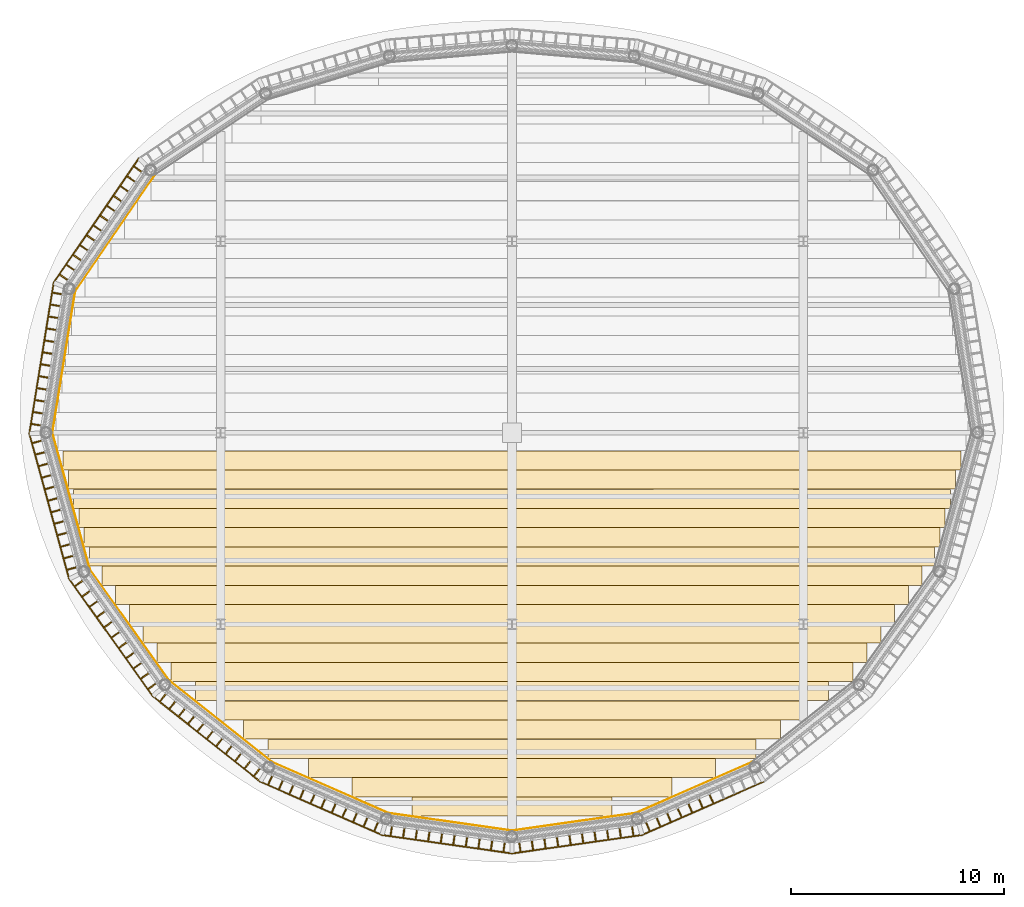
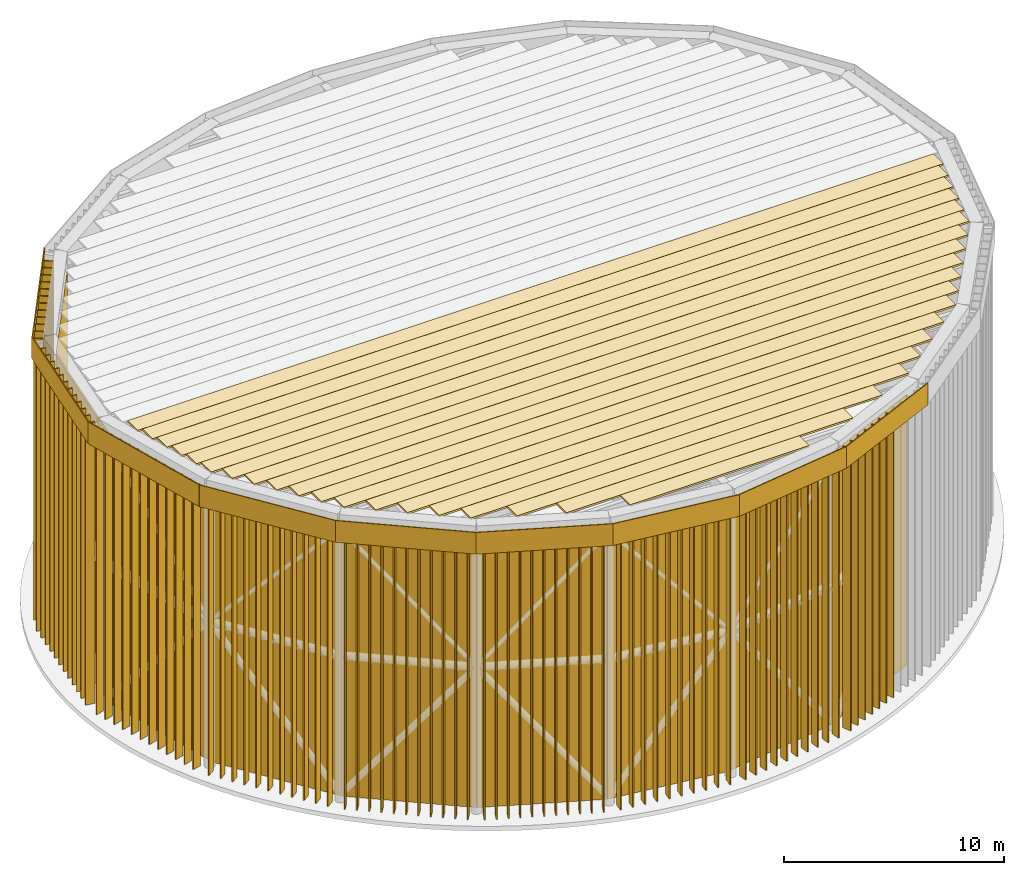
# One storey, part 9 of 11: 96 shading devices, 37 coverings.
"""IFC4 building model written with IfcOpenShell, lengths in metres."""

import ifcopenshell
import ifcopenshell.guid

model = None  # the IFC model being written
_history = None  # IfcOwnerHistory: only IFC2X3 demands one
_inside = {}  # id of a spatial element -> (the spatial element, [elements in it])
_under = {}  # id of a project, library or spatial element -> (it, [spatial elements below it])
_declared = {}  # id of a project -> (the project, [libraries it declares])
_typed = {}  # id of a type object -> (the type object, [elements of that type])
_made_of = {}  # id of a material, layer set ... -> (it, [elements and type objects made of it])


def new_model(schema):
    """Start an empty IFC model of exactly this schema.

    Asked for "IFC4X3", IfcOpenShell would pick the latest addendum, in which some entities
    have other attributes; the version numbers below select the first issue.
    IFC2X3 requires an IfcOwnerHistory on every rooted entity: one is made here for all.
    """
    global model, _history
    if schema == "IFC4X3":
        model = ifcopenshell.file(schema_version=(4, 3, 0, 0))
    else:
        model = ifcopenshell.file(schema=schema)
    _inside.clear()
    _under.clear()
    _declared.clear()
    _typed.clear()
    _made_of.clear()
    _history = None
    if model.schema == "IFC2X3":
        org = make("IfcOrganization", Name="unknown")
        user = make(
            "IfcPersonAndOrganization",
            ThePerson=make("IfcPerson", FamilyName="unknown"),
            TheOrganization=org,
        )
        app = make(
            "IfcApplication",
            ApplicationDeveloper=org,
            Version="unknown",
            ApplicationFullName="unknown",
            ApplicationIdentifier="unknown",
        )
        _history = make(
            "IfcOwnerHistory",
            OwningUser=user,
            OwningApplication=app,
            ChangeAction="ADDED",
            CreationDate=0,
        )
    return model


def make(cls, **values):
    """One entity of the class cls with the attributes given. An attribute that is None is left unset."""
    return model.create_entity(
        cls, **{name: value for name, value in values.items() if value is not None}
    )


def rooted(cls, **values):
    """An entity with a GlobalId (a new one), such as an element, a storey or a relation."""
    return make(cls, GlobalId=ifcopenshell.guid.new(), OwnerHistory=_history, **values)


def si_unit(unit_type, name, prefix=None):
    """IfcSIUnit, for example si_unit("LENGTHUNIT", "METRE", prefix="MILLI")."""
    return make("IfcSIUnit", UnitType=unit_type, Prefix=prefix, Name=name)


def assignment(units):
    """IfcUnitAssignment: the units of a project."""
    return None if units is None else make("IfcUnitAssignment", Units=units)


def point(xyz):
    """IfcCartesianPoint."""
    return None if xyz is None else make("IfcCartesianPoint", Coordinates=xyz)


def direction(xyz):
    """IfcDirection."""
    return None if xyz is None else make("IfcDirection", DirectionRatios=xyz)


def frame(location, z_axis=None, x_axis=None):
    """IfcAxis2Placement3D, a coordinate frame: its origin and axes. An axis left out is left unset."""
    return make(
        "IfcAxis2Placement3D",
        Location=point(location),
        Axis=direction(z_axis),
        RefDirection=direction(x_axis),
    )


def frame_2d(location, x_axis=None):
    """IfcAxis2Placement2D, a coordinate frame in the plane: its origin and x axis."""
    return make(
        "IfcAxis2Placement2D", Location=point(location), RefDirection=direction(x_axis)
    )


def origin():
    """The frame at (0, 0, 0) with its axes left unset."""
    return frame((0.0, 0.0, 0.0))


def origin_2d():
    """The frame at (0, 0) in the plane with its x axis left unset."""
    return frame_2d((0.0, 0.0))


def place(relative_to, where):
    """IfcLocalPlacement: puts the frame where relative to a parent placement (None: the world)."""
    return make(
        "IfcLocalPlacement", PlacementRelTo=relative_to, RelativePlacement=where
    )


def context(
    kind, dimensions, precision=None, world=None, true_north=None, identifier=None
):
    """IfcGeometricRepresentationContext, for example the 3D "Model" context."""
    return make(
        "IfcGeometricRepresentationContext",
        ContextIdentifier=identifier,
        ContextType=kind,
        CoordinateSpaceDimension=dimensions,
        Precision=precision,
        WorldCoordinateSystem=world,
        TrueNorth=true_north,
    )


def subcontext(parent, identifier, kind, view, scale=None):
    """IfcGeometricRepresentationSubContext, for example "Body" below "Model"."""
    return make(
        "IfcGeometricRepresentationSubContext",
        ContextIdentifier=identifier,
        ContextType=kind,
        ParentContext=parent,
        TargetScale=scale,
        TargetView=view,
    )


def project(units=None, contexts=None):
    """IfcProject with its units and contexts."""
    return rooted(
        "IfcProject",
        Name="project",
        RepresentationContexts=contexts,
        UnitsInContext=assignment(units),
    )


def spatial(cls, under=None, at=None, **own):
    """A site, building, storey or space (cls), placed at a placement, below another one or the project."""
    s = rooted(cls, ObjectPlacement=at, **own)
    if under is not None:
        _under.setdefault(under.id(), (under, []))[1].append(s)
    return s


def profile(cls, at=None, kind="AREA", **sizes):
    """A parametric profile (cls). Its sizes go by their IFC names, for example OverallWidth=200.0."""
    return make(cls, ProfileType=kind, Position=at, **sizes)


def rectangle(**sizes):
    """IfcRectangleProfileDef."""
    return profile("IfcRectangleProfileDef", **sizes)


def extrude(swept, where, along, depth):
    """IfcExtrudedAreaSolid: the profile swept, set in the frame where, extruded along a direction by depth."""
    return make(
        "IfcExtrudedAreaSolid",
        SweptArea=swept,
        Position=where,
        ExtrudedDirection=direction(along),
        Depth=depth,
    )


def shape(context_of_items, identifier, shape_type, items):
    """IfcShapeRepresentation: the items that make up one representation, for example the "Body"."""
    return make(
        "IfcShapeRepresentation",
        ContextOfItems=context_of_items,
        RepresentationIdentifier=identifier,
        RepresentationType=shape_type,
        Items=items,
    )


def material(Name=None, Category=None):
    """IfcMaterial."""
    return make("IfcMaterial", Name=Name, Category=Category)


def layer(
    of_material, thickness, ventilated=None, Name=None, Category=None, Priority=None
):
    """IfcMaterialLayer: one layer of a wall or slab, of a material (None: an air gap)."""
    return make(
        "IfcMaterialLayer",
        Material=of_material,
        LayerThickness=thickness,
        IsVentilated=ventilated,
        Name=Name,
        Category=Category,
        Priority=Priority,
    )


def layer_set(layers, Name=None):
    """IfcMaterialLayerSet."""
    return make("IfcMaterialLayerSet", MaterialLayers=layers, LayerSetName=Name)


def made_of(thing, what):
    """Note that an element or type object is made of a material, layer set ...; save() writes the relation."""
    if what is not None:
        _made_of.setdefault(what.id(), (what, []))[1].append(thing)
    return thing


def type_object(cls, material=None, **own):
    """A type object (cls), such as IfcWallType, which elements share."""
    return made_of(rooted(cls, **own), material)


def element(
    cls,
    number,
    at=None,
    inside=None,
    cuts=None,
    type_object=None,
    material=None,
    context=None,
    identifier="Body",
    shape_type=None,
    held_by="IfcProductDefinitionShape",
    body=None,
    shapes=None,
    **own,
):
    """One element of the class cls, such as IfcWall. Its Tag is "e" and its number.

    at: its placement. inside: the storey or other place that contains it. cuts: it is an
    opening in that element (IfcRelVoidsElement). A single representation is given by context,
    identifier, shape_type and body (its items); several are given by shapes. held_by: the class
    of the entity that holds the representations. save() writes the other relations.
    """
    e = rooted(cls, Tag="e%d" % number, ObjectPlacement=at, **own)
    if body is not None:
        shapes = [shape(context, identifier, shape_type, body)]
    if shapes is not None:
        e.Representation = make(held_by, Representations=shapes)
    if inside is not None:
        _inside.setdefault(inside.id(), (inside, []))[1].append(e)
    if cuts is not None:
        rooted(
            "IfcRelVoidsElement", RelatingBuildingElement=cuts, RelatedOpeningElement=e
        )
    if type_object is not None:
        _typed.setdefault(type_object.id(), (type_object, []))[1].append(e)
    return made_of(e, material)


def aggregate(whole, parts):
    """IfcRelAggregates: a whole, such as a stair, and the parts it consists of."""
    return rooted("IfcRelAggregates", RelatingObject=whole, RelatedObjects=parts)


def save(model, path):
    """Write the relations noted so far, then the file.

    IfcRelAggregates (storeys below a building ...), IfcRelContainedInSpatialStructure (elements
    in a storey), IfcRelDefinesByType, IfcRelAssociatesMaterial and IfcRelDeclares: one each for
    every whole, place, type object, material and project.
    """
    for whole, parts in _under.values():
        aggregate(whole, parts)
    for where, things in _inside.values():
        rooted(
            "IfcRelContainedInSpatialStructure",
            RelatedElements=things,
            RelatingStructure=where,
        )
    for kind, things in _typed.values():
        rooted("IfcRelDefinesByType", RelatedObjects=things, RelatingType=kind)
    for what, things in _made_of.values():
        rooted("IfcRelAssociatesMaterial", RelatedObjects=things, RelatingMaterial=what)
    for by, libraries in _declared.values():
        rooted("IfcRelDeclares", RelatingContext=by, RelatedDefinitions=libraries)
    model.write(path)


model = new_model("IFC4")

# Units and contexts
model_context = context("Model", 3, precision=1e-05, world=origin(), true_north=direction((0.0, 1.0)))
body_context = subcontext(model_context, "Body", "Model", "MODEL_VIEW")
ifc_project = project(units=[si_unit("LENGTHUNIT", "METRE"), si_unit("AREAUNIT", "SQUARE_METRE"), si_unit("VOLUMEUNIT", "CUBIC_METRE"), si_unit("PLANEANGLEUNIT", "RADIAN"), si_unit("MASSUNIT", "GRAM", prefix="KILO")], contexts=[model_context])

# Site, building, storey
site_placement = place(None, origin())
site = spatial("IfcSite", under=ifc_project, at=site_placement, CompositionType="ELEMENT")
building_placement = place(site_placement, origin())
building = spatial("IfcBuilding", under=site, at=building_placement, Name="Marramba Exchange Tower", CompositionType="ELEMENT")
storey_placement = place(building_placement, frame((0.0, 0.0, 282.0)))
storey = spatial("IfcBuildingStorey", under=building, at=storey_placement, Name="Roof crown", CompositionType="ELEMENT", Elevation=282.0)

# Shading devices
ifc_material_1 = material(Name="Aluminium fin, bronze anodised", Category="aluminium")
ifc_layer_1 = layer(ifc_material_1, 0.06005859375)
ifc_layer_set_1 = layer_set([ifc_layer_1], Name="CROWN SCREEN FIN 450x60")
shading_device_type = type_object("IfcShadingDeviceType", Name="CROWN SCREEN FIN 450x60", PredefinedType="USERDEFINED", material=ifc_layer_set_1)
for number, where, z_axis, x_axis, name in (
    (1, (-17.58837890625, 12.39013671875, 0.0), (0.0, 0.0, 1.0), (-0.824970030492, 0.565176475793, 0.0), "Crown screen fin CS1 bay 09 fin 01"),
    (2, (-17.905029296875, 11.927734375, 0.0), (0.0, 0.0, 1.0), (-0.824970030492, 0.565176475793, 0.0), "Crown screen fin CS1 bay 09 fin 02"),
    (3, (-18.2216796875, 11.465576171875, 0.0), (0.0, 0.0, 1.0), (-0.824970030492, 0.565176475793, 0.0), "Crown screen fin CS1 bay 09 fin 03"),
    (4, (-18.538330078125, 11.00341796875, 0.0), (0.0, 0.0, 1.0), (-0.824970030492, 0.565176475793, 0.0), "Crown screen fin CS1 bay 09 fin 04"),
    (5, (-18.855224609375, 10.541015625, 0.0), (0.0, 0.0, 1.0), (-0.824970030492, 0.565176475793, 0.0), "Crown screen fin CS1 bay 09 fin 05"),
    (6, (-19.171875, 10.078857421875, 0.0), (0.0, 0.0, 1.0), (-0.824970030492, 0.565176475793, 0.0), "Crown screen fin CS1 bay 09 fin 06"),
    (7, (-19.488525390625, 9.616455078125, 0.0), (0.0, 0.0, 1.0), (-0.824970030492, 0.565176475793, 0.0), "Crown screen fin CS1 bay 09 fin 07"),
    (8, (-19.80517578125, 9.154296875, 0.0), (0.0, 0.0, 1.0), (-0.824970030492, 0.565176475793, 0.0), "Crown screen fin CS1 bay 09 fin 08"),
    (9, (-20.121826171875, 8.692138671875, 0.0), (0.0, 0.0, 1.0), (-0.824970030492, 0.565176475793, 0.0), "Crown screen fin CS1 bay 09 fin 09"),
    (10, (-20.4384765625, 8.229736328125, 0.0), (0.0, 0.0, 1.0), (-0.824970030492, 0.565176475793, 0.0), "Crown screen fin CS1 bay 09 fin 10"),
    (11, (-20.755126953125, 7.767578125, 0.0), (0.0, 0.0, 1.0), (-0.824970030492, 0.565176475793, 0.0), "Crown screen fin CS1 bay 09 fin 11"),
    (12, (-21.072021484375, 7.30517578125, 0.0), (0.0, 0.0, 1.0), (-0.824970030492, 0.565176475793, 0.0), "Crown screen fin CS1 bay 09 fin 12"),
    (13, (-21.37451171875, 6.548583984375, 0.0), (0.0, 0.0, 1.0), (-0.987215031022, 0.159394110696, 0.0), "Crown screen fin CS1 bay 10 fin 01"),
    (14, (-21.465087890625, 5.98779296875, 0.0), (0.0, 0.0, 1.0), (-0.987215031022, 0.159394110696, 0.0), "Crown screen fin CS1 bay 10 fin 02"),
    (15, (-21.5556640625, 5.427001953125, 0.0), (0.0, 0.0, 1.0), (-0.987215031022, 0.159394110696, 0.0), "Crown screen fin CS1 bay 10 fin 03"),
    (16, (-21.64599609375, 4.8662109375, 0.0), (0.0, 0.0, 1.0), (-0.987215031022, 0.159394110696, 0.0), "Crown screen fin CS1 bay 10 fin 04"),
    (17, (-21.736572265625, 4.305419921875, 0.0), (0.0, 0.0, 1.0), (-0.987215031022, 0.159394110696, 0.0), "Crown screen fin CS1 bay 10 fin 05"),
    (18, (-21.8271484375, 3.74462890625, 0.0), (0.0, 0.0, 1.0), (-0.987215031022, 0.159394110696, 0.0), "Crown screen fin CS1 bay 10 fin 06"),
    (19, (-21.917724609375, 3.183837890625, 0.0), (0.0, 0.0, 1.0), (-0.987215031022, 0.159394110696, 0.0), "Crown screen fin CS1 bay 10 fin 07"),
    (20, (-22.00830078125, 2.623046875, 0.0), (0.0, 0.0, 1.0), (-0.987215031022, 0.159394110696, 0.0), "Crown screen fin CS1 bay 10 fin 08"),
    (21, (-22.098876953125, 2.062255859375, 0.0), (0.0, 0.0, 1.0), (-0.987215031022, 0.159394110696, 0.0), "Crown screen fin CS1 bay 10 fin 09"),
    (22, (-22.189453125, 1.50146484375, 0.0), (0.0, 0.0, 1.0), (-0.987215031022, 0.159394110696, 0.0), "Crown screen fin CS1 bay 10 fin 10"),
    (23, (-22.280029296875, 0.940673828125, 0.0), (0.0, 0.0, 1.0), (-0.987215031022, 0.159394110696, 0.0), "Crown screen fin CS1 bay 10 fin 11"),
    (24, (-22.370361328125, 0.3798828125, 0.0), (0.0, 0.0, 1.0), (-0.987215031022, 0.159394110696, 0.0), "Crown screen fin CS1 bay 10 fin 12"),
    (25, (-22.3271484375, -0.427978515625, 0.0), (0.0, 0.0, 1.0), (-0.964439311861, -0.264304395987, 0.0), "Crown screen fin CS1 bay 11 fin 01"),
    (26, (-22.1787109375, -0.969482421875, 0.0), (0.0, 0.0, 1.0), (-0.964439311861, -0.264304395987, 0.0), "Crown screen fin CS1 bay 11 fin 02"),
    (27, (-22.0302734375, -1.510986328125, 0.0), (0.0, 0.0, 1.0), (-0.964439311861, -0.264304395987, 0.0), "Crown screen fin CS1 bay 11 fin 03"),
    (28, (-21.8818359375, -2.05224609375, 0.0), (0.0, 0.0, 1.0), (-0.964439311861, -0.264304395987, 0.0), "Crown screen fin CS1 bay 11 fin 04"),
    (29, (-21.733642578125, -2.59375, 0.0), (0.0, 0.0, 1.0), (-0.964439311861, -0.264304395987, 0.0), "Crown screen fin CS1 bay 11 fin 05"),
    (30, (-21.585205078125, -3.135009765625, 0.0), (0.0, 0.0, 1.0), (-0.964439311861, -0.264304395987, 0.0), "Crown screen fin CS1 bay 11 fin 06"),
    (31, (-21.436767578125, -3.676513671875, 0.0), (0.0, 0.0, 1.0), (-0.964439311861, -0.264304395987, 0.0), "Crown screen fin CS1 bay 11 fin 07"),
    (32, (-21.28857421875, -4.2177734375, 0.0), (0.0, 0.0, 1.0), (-0.964439311861, -0.264304395987, 0.0), "Crown screen fin CS1 bay 11 fin 08"),
    (33, (-21.14013671875, -4.75927734375, 0.0), (0.0, 0.0, 1.0), (-0.964439311861, -0.264304395987, 0.0), "Crown screen fin CS1 bay 11 fin 09"),
    (34, (-20.99169921875, -5.300537109375, 0.0), (0.0, 0.0, 1.0), (-0.964439311861, -0.264304395987, 0.0), "Crown screen fin CS1 bay 11 fin 10"),
    (35, (-20.84326171875, -5.842041015625, 0.0), (0.0, 0.0, 1.0), (-0.964439311861, -0.264304395987, 0.0), "Crown screen fin CS1 bay 11 fin 11"),
    (36, (-20.695068359375, -6.38330078125, 0.0), (0.0, 0.0, 1.0), (-0.964439311861, -0.264304395987, 0.0), "Crown screen fin CS1 bay 11 fin 12"),
    (37, (-20.362548828125, -7.0830078125, 0.0), (0.0, 0.0, 1.0), (-0.814160242484, -0.580640249688, 0.0), "Crown screen fin CS1 bay 12 fin 01"),
    (38, (-20.01806640625, -7.566162109375, 0.0), (0.0, 0.0, 1.0), (-0.814160242484, -0.580640249688, 0.0), "Crown screen fin CS1 bay 12 fin 02"),
    (39, (-19.673583984375, -8.04931640625, 0.0), (0.0, 0.0, 1.0), (-0.814160242484, -0.580640249688, 0.0), "Crown screen fin CS1 bay 12 fin 03"),
    (40, (-19.328857421875, -8.532470703125, 0.0), (0.0, 0.0, 1.0), (-0.814160242484, -0.580640249688, 0.0), "Crown screen fin CS1 bay 12 fin 04"),
    (41, (-18.984375, -9.015625, 0.0), (0.0, 0.0, 1.0), (-0.814160242484, -0.580640249688, 0.0), "Crown screen fin CS1 bay 12 fin 05"),
    (42, (-18.639892578125, -9.498779296875, 0.0), (0.0, 0.0, 1.0), (-0.814160242484, -0.580640249688, 0.0), "Crown screen fin CS1 bay 12 fin 06"),
    (43, (-18.295166015625, -9.98193359375, 0.0), (0.0, 0.0, 1.0), (-0.814160242484, -0.580640249688, 0.0), "Crown screen fin CS1 bay 12 fin 07"),
    (44, (-17.95068359375, -10.465087890625, 0.0), (0.0, 0.0, 1.0), (-0.814160242484, -0.580640249688, 0.0), "Crown screen fin CS1 bay 12 fin 08"),
    (45, (-17.606201171875, -10.947998046875, 0.0), (0.0, 0.0, 1.0), (-0.814160242484, -0.580640249688, 0.0), "Crown screen fin CS1 bay 12 fin 09"),
    (46, (-17.261474609375, -11.43115234375, 0.0), (0.0, 0.0, 1.0), (-0.814160242484, -0.580640249688, 0.0), "Crown screen fin CS1 bay 12 fin 10"),
    (47, (-16.9169921875, -11.914306640625, 0.0), (0.0, 0.0, 1.0), (-0.814160242484, -0.580640249688, 0.0), "Crown screen fin CS1 bay 12 fin 11"),
    (48, (-16.406982421875, -12.451416015625, 0.0), (0.0, 0.0, 1.0), (-0.621844854005, -0.783140458377, 0.0), "Crown screen fin CS1 bay 13 fin 01"),
    (49, (-15.96533203125, -12.802001953125, 0.0), (0.0, 0.0, 1.0), (-0.621844854005, -0.783140458377, 0.0), "Crown screen fin CS1 bay 13 fin 02"),
    (50, (-15.52392578125, -13.152587890625, 0.0), (0.0, 0.0, 1.0), (-0.621844854005, -0.783140458377, 0.0), "Crown screen fin CS1 bay 13 fin 03"),
    (51, (-15.082275390625, -13.503173828125, 0.0), (0.0, 0.0, 1.0), (-0.621844854005, -0.783140458377, 0.0), "Crown screen fin CS1 bay 13 fin 04"),
    (52, (-14.640869140625, -13.853759765625, 0.0), (0.0, 0.0, 1.0), (-0.621844854005, -0.783140458377, 0.0), "Crown screen fin CS1 bay 13 fin 05"),
    (53, (-14.199462890625, -14.204345703125, 0.0), (0.0, 0.0, 1.0), (-0.621844854005, -0.783140458377, 0.0), "Crown screen fin CS1 bay 13 fin 06"),
    (54, (-13.7578125, -14.554931640625, 0.0), (0.0, 0.0, 1.0), (-0.621844854005, -0.783140458377, 0.0), "Crown screen fin CS1 bay 13 fin 07"),
    (55, (-13.31640625, -14.905517578125, 0.0), (0.0, 0.0, 1.0), (-0.621844854005, -0.783140458377, 0.0), "Crown screen fin CS1 bay 13 fin 08"),
    (56, (-12.874755859375, -15.256103515625, 0.0), (0.0, 0.0, 1.0), (-0.621844854005, -0.783140458377, 0.0), "Crown screen fin CS1 bay 13 fin 09"),
    (57, (-12.433349609375, -15.606689453125, 0.0), (0.0, 0.0, 1.0), (-0.621844854005, -0.783140458377, 0.0), "Crown screen fin CS1 bay 13 fin 10"),
    (58, (-11.991943359375, -15.957275390625, 0.0), (0.0, 0.0, 1.0), (-0.621844854005, -0.783140458377, 0.0), "Crown screen fin CS1 bay 13 fin 11"),
    (59, (-11.366455078125, -16.333984375, 0.0), (0.0, 0.0, 1.0), (-0.401466443491, -0.915873732973, 0.0), "Crown screen fin CS1 bay 14 fin 01"),
    (60, (-10.868408203125, -16.55224609375, 0.0), (0.0, 0.0, 1.0), (-0.401466443491, -0.915873732973, 0.0), "Crown screen fin CS1 bay 14 fin 02"),
    (61, (-10.3701171875, -16.7705078125, 0.0), (0.0, 0.0, 1.0), (-0.401466443491, -0.915873732973, 0.0), "Crown screen fin CS1 bay 14 fin 03"),
    (62, (-9.8720703125, -16.989013671875, 0.0), (0.0, 0.0, 1.0), (-0.401466443491, -0.915873732973, 0.0), "Crown screen fin CS1 bay 14 fin 04"),
    (63, (-9.3740234375, -17.207275390625, 0.0), (0.0, 0.0, 1.0), (-0.401466443491, -0.915873732973, 0.0), "Crown screen fin CS1 bay 14 fin 05"),
    (64, (-8.875732421875, -17.42578125, 0.0), (0.0, 0.0, 1.0), (-0.401466443491, -0.915873732973, 0.0), "Crown screen fin CS1 bay 14 fin 06"),
    (65, (-8.377685546875, -17.64404296875, 0.0), (0.0, 0.0, 1.0), (-0.401466443491, -0.915873732973, 0.0), "Crown screen fin CS1 bay 14 fin 07"),
    (66, (-7.87939453125, -17.8623046875, 0.0), (0.0, 0.0, 1.0), (-0.401466443491, -0.915873732973, 0.0), "Crown screen fin CS1 bay 14 fin 08"),
    (67, (-7.38134765625, -18.080810546875, 0.0), (0.0, 0.0, 1.0), (-0.401466443491, -0.915873732973, 0.0), "Crown screen fin CS1 bay 14 fin 09"),
    (68, (-6.88330078125, -18.299072265625, 0.0), (0.0, 0.0, 1.0), (-0.401466443491, -0.915873732973, 0.0), "Crown screen fin CS1 bay 14 fin 10"),
    (69, (-6.385009765625, -18.517333984375, 0.0), (0.0, 0.0, 1.0), (-0.401466443491, -0.915873732973, 0.0), "Crown screen fin CS1 bay 14 fin 11"),
    (70, (-5.676513671875, -18.718994140625, 0.0), (0.0, 0.0, 1.0), (-0.140789071925, -0.990039613968, 0.0), "Crown screen fin CS1 bay 15 fin 01"),
    (71, (-5.0869140625, -18.802978515625, 0.0), (0.0, 0.0, 1.0), (-0.140789071925, -0.990039613968, 0.0), "Crown screen fin CS1 bay 15 fin 02"),
    (72, (-4.49755859375, -18.88671875, 0.0), (0.0, 0.0, 1.0), (-0.140789071925, -0.990039613968, 0.0), "Crown screen fin CS1 bay 15 fin 03"),
    (73, (-3.907958984375, -18.970458984375, 0.0), (0.0, 0.0, 1.0), (-0.140789071925, -0.990039613968, 0.0), "Crown screen fin CS1 bay 15 fin 04"),
    (74, (-3.318359375, -19.054443359375, 0.0), (0.0, 0.0, 1.0), (-0.140789071925, -0.990039613968, 0.0), "Crown screen fin CS1 bay 15 fin 05"),
    (75, (-2.72900390625, -19.13818359375, 0.0), (0.0, 0.0, 1.0), (-0.140789071925, -0.990039613968, 0.0), "Crown screen fin CS1 bay 15 fin 06"),
    (76, (-2.139404296875, -19.221923828125, 0.0), (0.0, 0.0, 1.0), (-0.140789071925, -0.990039613968, 0.0), "Crown screen fin CS1 bay 15 fin 07"),
    (77, (-1.550048828125, -19.305908203125, 0.0), (0.0, 0.0, 1.0), (-0.140789071925, -0.990039613968, 0.0), "Crown screen fin CS1 bay 15 fin 08"),
    (78, (-0.96044921875, -19.3896484375, 0.0), (0.0, 0.0, 1.0), (-0.140789071925, -0.990039613968, 0.0), "Crown screen fin CS1 bay 15 fin 09"),
    (79, (-0.370849609375, -19.4736328125, 0.0), (0.0, 0.0, 1.0), (-0.140789071925, -0.990039613968, 0.0), "Crown screen fin CS1 bay 15 fin 10"),
    (80, (0.370849609375, -19.4736328125, 0.0), (0.0, 0.0, 1.0), (0.140789071925, -0.990039613968, 0.0), "Crown screen fin CS1 bay 16 fin 01"),
    (81, (0.96044921875, -19.3896484375, 0.0), (0.0, 0.0, 1.0), (0.140789071925, -0.990039613968, 0.0), "Crown screen fin CS1 bay 16 fin 02"),
    (82, (1.550048828125, -19.305908203125, 0.0), (0.0, 0.0, 1.0), (0.140789071925, -0.990039613968, 0.0), "Crown screen fin CS1 bay 16 fin 03"),
    (83, (2.139404296875, -19.221923828125, 0.0), (0.0, 0.0, 1.0), (0.140789071925, -0.990039613968, 0.0), "Crown screen fin CS1 bay 16 fin 04"),
    (84, (2.72900390625, -19.13818359375, 0.0), (0.0, 0.0, 1.0), (0.140789071925, -0.990039613968, 0.0), "Crown screen fin CS1 bay 16 fin 05"),
    (85, (3.318359375, -19.054443359375, 0.0), (0.0, 0.0, 1.0), (0.140789071925, -0.990039613968, 0.0), "Crown screen fin CS1 bay 16 fin 06"),
    (86, (3.907958984375, -18.970458984375, 0.0), (0.0, 0.0, 1.0), (0.140789071925, -0.990039613968, 0.0), "Crown screen fin CS1 bay 16 fin 07"),
    (87, (4.49755859375, -18.88671875, 0.0), (0.0, 0.0, 1.0), (0.140789071925, -0.990039613968, 0.0), "Crown screen fin CS1 bay 16 fin 08"),
    (88, (5.0869140625, -18.802978515625, 0.0), (0.0, 0.0, 1.0), (0.140789071925, -0.990039613968, 0.0), "Crown screen fin CS1 bay 16 fin 09"),
    (89, (5.676513671875, -18.718994140625, 0.0), (0.0, 0.0, 1.0), (0.140789071925, -0.990039613968, 0.0), "Crown screen fin CS1 bay 16 fin 10"),
    (90, (6.385009765625, -18.517333984375, 0.0), (0.0, 0.0, 1.0), (0.401466443491, -0.915873732973, 0.0), "Crown screen fin CS1 bay 17 fin 01"),
    (91, (6.88330078125, -18.299072265625, 0.0), (0.0, 0.0, 1.0), (0.401466443491, -0.915873732973, 0.0), "Crown screen fin CS1 bay 17 fin 02"),
    (92, (7.38134765625, -18.080810546875, 0.0), (0.0, 0.0, 1.0), (0.401466443491, -0.915873732973, 0.0), "Crown screen fin CS1 bay 17 fin 03"),
    (93, (7.87939453125, -17.8623046875, 0.0), (0.0, 0.0, 1.0), (0.401466443491, -0.915873732973, 0.0), "Crown screen fin CS1 bay 17 fin 04"),
    (94, (8.377685546875, -17.64404296875, 0.0), (0.0, 0.0, 1.0), (0.401466443491, -0.915873732973, 0.0), "Crown screen fin CS1 bay 17 fin 05"),
    (95, (8.875732421875, -17.42578125, 0.0), (0.0, 0.0, 1.0), (0.401466443491, -0.915873732973, 0.0), "Crown screen fin CS1 bay 17 fin 06"),
    (96, (9.3740234375, -17.207275390625, 0.0), (0.0, 0.0, 1.0), (0.401466443491, -0.915873732973, 0.0), "Crown screen fin CS1 bay 17 fin 07"),
):
    element("IfcShadingDevice", number, at=place(storey_placement, frame(where, z_axis=z_axis, x_axis=x_axis)), inside=storey, type_object=shading_device_type, Name=name, ObjectType="FIN", PredefinedType="USERDEFINED", context=body_context, shape_type="SweptSolid", body=[
        extrude(rectangle(XDim=0.449951171875, YDim=0.06005859375, at=origin_2d()), origin(), (0.0, 0.0, 1.0), 15.60009765625),
    ])

# Coverings
ifc_material_2 = material(Name="Stainless steel woven mesh, bronze finish", Category="steel")
ifc_layer_2 = layer(ifc_material_2, 0.02001953125)
ifc_layer_set_2 = layer_set([ifc_layer_2], Name="CROWN SCREEN MESH")
covering_type_1 = type_object("IfcCoveringType", Name="CROWN SCREEN MESH", PredefinedType="USERDEFINED", material=ifc_layer_set_2)
covering_1_placement = place(storey_placement, frame((-18.6552734375, 9.390625, 0.0), z_axis=(0.0, 0.0, 1.0), x_axis=(-0.565176475793, -0.824970030492, 0.0)))
element("IfcCovering", 97, at=covering_1_placement, inside=storey, type_object=covering_type_1, Name="Crown screen mesh CM1 bay 09", ObjectType="SCREEN", PredefinedType="USERDEFINED", context=body_context, shape_type="SweptSolid", body=[
    extrude(rectangle(XDim=6.62255859375, YDim=0.02001953125, at=origin_2d()), origin(), (0.0, 0.0, 1.0), 15.0),
])
covering_2_placement = place(storey_placement, frame((-21.068115234375, 3.333251953125, 0.0), z_axis=(0.0, 0.0, 1.0), x_axis=(-0.159394110696, -0.987215031022, 0.0)))
element("IfcCovering", 98, at=covering_2_placement, inside=storey, type_object=covering_type_1, Name="Crown screen mesh CM1 bay 10", ObjectType="SCREEN", PredefinedType="USERDEFINED", context=body_context, shape_type="SweptSolid", body=[
    extrude(rectangle(XDim=6.70068359375, YDim=0.02001953125, at=origin_2d()), origin(), (0.0, 0.0, 1.0), 15.0),
])
covering_3_placement = place(storey_placement, frame((-20.723388671875, -3.19580078125, 0.0), z_axis=(0.0, 0.0, 1.0), x_axis=(0.264304395987, -0.964439311861, 0.0)))
element("IfcCovering", 99, at=covering_3_placement, inside=storey, type_object=covering_type_1, Name="Crown screen mesh CM1 bay 11", ObjectType="SCREEN", PredefinedType="USERDEFINED", context=body_context, shape_type="SweptSolid", body=[
    extrude(rectangle(XDim=6.640380859375, YDim=0.02001953125, at=origin_2d()), origin(), (0.0, 0.0, 1.0), 15.0),
])
covering_4_placement = place(storey_placement, frame((-17.97314453125, -9.02978515625, 0.0), z_axis=(0.0, 0.0, 1.0), x_axis=(0.580640249688, -0.814160242484, 0.0)))
element("IfcCovering", 100, at=covering_4_placement, inside=storey, type_object=covering_type_1, Name="Crown screen mesh CM1 bay 12", ObjectType="SCREEN", PredefinedType="USERDEFINED", context=body_context, shape_type="SweptSolid", body=[
    extrude(rectangle(XDim=6.421630859375, YDim=0.02001953125, at=origin_2d()), origin(), (0.0, 0.0, 1.0), 15.0),
])
covering_5_placement = place(storey_placement, frame((-13.691162109375, -13.567138671875, 0.0), z_axis=(0.0, 0.0, 1.0), x_axis=(0.783140458377, -0.621844854005, 0.0)))
element("IfcCovering", 101, at=covering_5_placement, inside=storey, type_object=covering_type_1, Name="Crown screen mesh CM1 bay 13", ObjectType="SCREEN", PredefinedType="USERDEFINED", context=body_context, shape_type="SweptSolid", body=[
    extrude(rectangle(XDim=6.13916015625, YDim=0.02001953125, at=origin_2d()), origin(), (0.0, 0.0, 1.0), 15.0),
])
covering_6_placement = place(storey_placement, frame((-8.549560546875, -16.6787109375, 0.0), z_axis=(0.0, 0.0, 1.0), x_axis=(0.915873732973, -0.401466443491, 0.0)))
element("IfcCovering", 102, at=covering_6_placement, inside=storey, type_object=covering_type_1, Name="Crown screen mesh CM1 bay 14", ObjectType="SCREEN", PredefinedType="USERDEFINED", context=body_context, shape_type="SweptSolid", body=[
    extrude(rectangle(XDim=5.941650390625, YDim=0.02001953125, at=origin_2d()), origin(), (0.0, 0.0, 1.0), 15.0),
])
for number, where, z_axis, x_axis, name in (
    (103, (-2.90966796875, -18.289306640625, 0.0), (0.0, 0.0, 1.0), (0.990039613968, -0.140789071925, 0.0), "Crown screen mesh CM1 bay 15"),
    (104, (2.90966796875, -18.289306640625, 0.0), (0.0, 0.0, 1.0), (0.990039613968, 0.140789071925, 0.0), "Crown screen mesh CM1 bay 16"),
):
    element("IfcCovering", number, at=place(storey_placement, frame(where, z_axis=z_axis, x_axis=x_axis)), inside=storey, type_object=covering_type_1, Name=name, ObjectType="SCREEN", PredefinedType="USERDEFINED", context=body_context, shape_type="SweptSolid", body=[
        extrude(rectangle(XDim=5.85791015625, YDim=0.02001953125, at=origin_2d()), origin(), (0.0, 0.0, 1.0), 15.0),
    ])
covering_7_placement = place(storey_placement, frame((8.549560546875, -16.6787109375, 0.0), z_axis=(0.0, 0.0, 1.0), x_axis=(0.915873732973, 0.401466443491, 0.0)))
element("IfcCovering", 105, at=covering_7_placement, inside=storey, type_object=covering_type_1, Name="Crown screen mesh CM1 bay 17", ObjectType="SCREEN", PredefinedType="USERDEFINED", context=body_context, shape_type="SweptSolid", body=[
    extrude(rectangle(XDim=5.941650390625, YDim=0.02001953125, at=origin_2d()), origin(), (0.0, 0.0, 1.0), 15.0),
])
ifc_material_3 = material(Name="Aluminium plate panel, bronze anodised", Category="aluminium")
ifc_layer_3 = layer(ifc_material_3, 0.050048828125)
ifc_layer_set_3 = layer_set([ifc_layer_3], Name="Crown cap panel 1200")
covering_type_2 = type_object("IfcCoveringType", Name="Crown cap panel 1200", PredefinedType="CLADDING", material=ifc_layer_set_3)
covering_8_placement = place(storey_placement, frame((-19.54296875, 9.979248046875, 14.7998046875), z_axis=(0.0, 0.0, 1.0), x_axis=(-0.565176475793, -0.824970030492, 0.0)))
element("IfcCovering", 106, at=covering_8_placement, inside=storey, type_object=covering_type_2, Name="Crown cap panel CP1 bay 09", PredefinedType="CLADDING", context=body_context, shape_type="SweptSolid", body=[
    extrude(rectangle(XDim=7.087158203125, YDim=0.050048828125, at=origin_2d()), origin(), (0.0, 0.0, 1.0), 1.199951171875),
])
covering_9_placement = place(storey_placement, frame((-22.118896484375, 3.506591796875, 14.7998046875), z_axis=(0.0, 0.0, 1.0), x_axis=(-0.159394110696, -0.987215031022, 0.0)))
element("IfcCovering", 107, at=covering_9_placement, inside=storey, type_object=covering_type_2, Name="Crown cap panel CP1 bay 10", PredefinedType="CLADDING", context=body_context, shape_type="SweptSolid", body=[
    extrude(rectangle(XDim=7.1904296875, YDim=0.050048828125, at=origin_2d()), origin(), (0.0, 0.0, 1.0), 1.199951171875),
])
covering_10_placement = place(storey_placement, frame((-21.756103515625, -3.45703125, 14.7998046875), z_axis=(0.0, 0.0, 1.0), x_axis=(0.264304395987, -0.964439311861, 0.0)))
element("IfcCovering", 108, at=covering_10_placement, inside=storey, type_object=covering_type_2, Name="Crown cap panel CP1 bay 11", PredefinedType="CLADDING", context=body_context, shape_type="SweptSolid", body=[
    extrude(rectangle(XDim=7.0810546875, YDim=0.050048828125, at=origin_2d()), origin(), (0.0, 0.0, 1.0), 1.199951171875),
])
covering_11_placement = place(storey_placement, frame((-18.8515625, -9.63232421875, 14.7998046875), z_axis=(0.0, 0.0, 1.0), x_axis=(0.580640249688, -0.814160242484, 0.0)))
element("IfcCovering", 109, at=covering_11_placement, inside=storey, type_object=covering_type_2, Name="Crown cap panel CP1 bay 12", PredefinedType="CLADDING", context=body_context, shape_type="SweptSolid", body=[
    extrude(rectangle(XDim=6.78125, YDim=0.050048828125, at=origin_2d()), origin(), (0.0, 0.0, 1.0), 1.199951171875),
])
covering_12_placement = place(storey_placement, frame((-14.358154296875, -14.3974609375, 14.7998046875), z_axis=(0.0, 0.0, 1.0), x_axis=(0.783140458377, -0.621844854005, 0.0)))
element("IfcCovering", 110, at=covering_12_placement, inside=storey, type_object=covering_type_2, Name="Crown cap panel CP1 bay 13", PredefinedType="CLADDING", context=body_context, shape_type="SweptSolid", body=[
    extrude(rectangle(XDim=6.447509765625, YDim=0.050048828125, at=origin_2d()), origin(), (0.0, 0.0, 1.0), 1.199951171875),
])
covering_13_placement = place(storey_placement, frame((-8.9736328125, -17.65576171875, 14.7998046875), z_axis=(0.0, 0.0, 1.0), x_axis=(0.915873732973, -0.401466443491, 0.0)))
element("IfcCovering", 111, at=covering_13_placement, inside=storey, type_object=covering_type_2, Name="Crown cap panel CP1 bay 14", PredefinedType="CLADDING", context=body_context, shape_type="SweptSolid", body=[
    extrude(rectangle(XDim=6.245361328125, YDim=0.050048828125, at=origin_2d()), origin(), (0.0, 0.0, 1.0), 1.199951171875),
])
for number, where, z_axis, x_axis, name in (
    (112, (-3.056884765625, -19.343994140625, 14.7998046875), (0.0, 0.0, 1.0), (0.990039613968, -0.140789071925, 0.0), "Crown cap panel CP1 bay 15"),
    (113, (3.056884765625, -19.343994140625, 14.7998046875), (0.0, 0.0, 1.0), (0.990039613968, 0.140789071925, 0.0), "Crown cap panel CP1 bay 16"),
):
    element("IfcCovering", number, at=place(storey_placement, frame(where, z_axis=z_axis, x_axis=x_axis)), inside=storey, type_object=covering_type_2, Name=name, PredefinedType="CLADDING", context=body_context, shape_type="SweptSolid", body=[
        extrude(rectangle(XDim=6.175048828125, YDim=0.050048828125, at=origin_2d()), origin(), (0.0, 0.0, 1.0), 1.199951171875),
    ])
covering_14_placement = place(storey_placement, frame((8.9736328125, -17.65576171875, 14.7998046875), z_axis=(0.0, 0.0, 1.0), x_axis=(0.915873732973, 0.401466443491, 0.0)))
element("IfcCovering", 114, at=covering_14_placement, inside=storey, type_object=covering_type_2, Name="Crown cap panel CP1 bay 17", PredefinedType="CLADDING", context=body_context, shape_type="SweptSolid", body=[
    extrude(rectangle(XDim=6.245361328125, YDim=0.050048828125, at=origin_2d()), origin(), (0.0, 0.0, 1.0), 1.199951171875),
])
ifc_material_4 = material(Name="Aluminium louvre grille, bronze anodised", Category="aluminium")
ifc_layer_4 = layer(ifc_material_4, 0.10009765625)
ifc_layer_set_4 = layer_set([ifc_layer_4], Name="Crown top louvre grille 100")
covering_type_3 = type_object("IfcCoveringType", Name="Crown top louvre grille 100", PredefinedType="CLADDING", material=ifc_layer_set_4)
covering_15_placement = place(storey_placement, frame((0.0, -17.571044921875, 15.89990234375), z_axis=(0.0, 0.0, 1.0), x_axis=(1.0, 0.0, 0.0)))
element("IfcCovering", 115, at=covering_15_placement, inside=storey, type_object=covering_type_3, Name="Crown top louvre grille CG1 01", PredefinedType="CLADDING", context=body_context, shape_type="SweptSolid", body=[
    extrude(rectangle(XDim=9.37939453125, YDim=0.89990234375, at=origin_2d()), origin(), (0.0, 0.0, 1.0), 0.10009765625),
])
covering_16_placement = place(storey_placement, frame((0.0, -16.6669921875, 15.89990234375), z_axis=(0.0, 0.0, 1.0), x_axis=(1.0, 0.0, 0.0)))
element("IfcCovering", 116, at=covering_16_placement, inside=storey, type_object=covering_type_3, Name="Crown top louvre grille CG1 02", PredefinedType="CLADDING", context=body_context, shape_type="SweptSolid", body=[
    extrude(rectangle(XDim=15.02490234375, YDim=0.89990234375, at=origin_2d()), origin(), (0.0, 0.0, 1.0), 0.10009765625),
])
covering_17_placement = place(storey_placement, frame((0.0, -15.762939453125, 15.89990234375), z_axis=(0.0, 0.0, 1.0), x_axis=(1.0, 0.0, 0.0)))
element("IfcCovering", 117, at=covering_17_placement, inside=storey, type_object=covering_type_3, Name="Crown top louvre grille CG1 03", PredefinedType="CLADDING", context=body_context, shape_type="SweptSolid", body=[
    extrude(rectangle(XDim=19.149658203125, YDim=0.89990234375, at=origin_2d()), origin(), (0.0, 0.0, 1.0), 0.10009765625),
])
covering_18_placement = place(storey_placement, frame((0.0, -14.859130859375, 15.89990234375), z_axis=(0.0, 0.0, 1.0), x_axis=(1.0, 0.0, 0.0)))
element("IfcCovering", 118, at=covering_18_placement, inside=storey, type_object=covering_type_3, Name="Crown top louvre grille CG1 04", PredefinedType="CLADDING", context=body_context, shape_type="SweptSolid", body=[
    extrude(rectangle(XDim=22.94677734375, YDim=0.89990234375, at=origin_2d()), origin(), (0.0, 0.0, 1.0), 0.10009765625),
])
covering_19_placement = place(storey_placement, frame((0.0, -13.955078125, 15.89990234375), z_axis=(0.0, 0.0, 1.0), x_axis=(1.0, 0.0, 0.0)))
element("IfcCovering", 119, at=covering_19_placement, inside=storey, type_object=covering_type_3, Name="Crown top louvre grille CG1 05", PredefinedType="CLADDING", context=body_context, shape_type="SweptSolid", body=[
    extrude(rectangle(XDim=25.223876953125, YDim=0.89990234375, at=origin_2d()), origin(), (0.0, 0.0, 1.0), 0.10009765625),
])
covering_20_placement = place(storey_placement, frame((0.0, -13.051025390625, 15.89990234375), z_axis=(0.0, 0.0, 1.0), x_axis=(1.0, 0.0, 0.0)))
element("IfcCovering", 120, at=covering_20_placement, inside=storey, type_object=covering_type_3, Name="Crown top louvre grille CG1 06", PredefinedType="CLADDING", context=body_context, shape_type="SweptSolid", body=[
    extrude(rectangle(XDim=27.500732421875, YDim=0.89990234375, at=origin_2d()), origin(), (0.0, 0.0, 1.0), 0.10009765625),
])
covering_21_placement = place(storey_placement, frame((0.0, -12.14697265625, 15.89990234375), z_axis=(0.0, 0.0, 1.0), x_axis=(1.0, 0.0, 0.0)))
element("IfcCovering", 121, at=covering_21_placement, inside=storey, type_object=covering_type_3, Name="Crown top louvre grille CG1 07", PredefinedType="CLADDING", context=body_context, shape_type="SweptSolid", body=[
    extrude(rectangle(XDim=29.77783203125, YDim=0.89990234375, at=origin_2d()), origin(), (0.0, 0.0, 1.0), 0.10009765625),
])
covering_22_placement = place(storey_placement, frame((0.0, -11.242919921875, 15.89990234375), z_axis=(0.0, 0.0, 1.0), x_axis=(1.0, 0.0, 0.0)))
element("IfcCovering", 122, at=covering_22_placement, inside=storey, type_object=covering_type_3, Name="Crown top louvre grille CG1 08", PredefinedType="CLADDING", context=body_context, shape_type="SweptSolid", body=[
    extrude(rectangle(XDim=32.0546875, YDim=0.89990234375, at=origin_2d()), origin(), (0.0, 0.0, 1.0), 0.10009765625),
])
covering_23_placement = place(storey_placement, frame((0.0, -10.339111328125, 15.89990234375), z_axis=(0.0, 0.0, 1.0), x_axis=(1.0, 0.0, 0.0)))
element("IfcCovering", 123, at=covering_23_placement, inside=storey, type_object=covering_type_3, Name="Crown top louvre grille CG1 09", PredefinedType="CLADDING", context=body_context, shape_type="SweptSolid", body=[
    extrude(rectangle(XDim=33.400146484375, YDim=0.89990234375, at=origin_2d()), origin(), (0.0, 0.0, 1.0), 0.10009765625),
])
covering_24_placement = place(storey_placement, frame((0.0, -9.43505859375, 15.89990234375), z_axis=(0.0, 0.0, 1.0), x_axis=(1.0, 0.0, 0.0)))
element("IfcCovering", 124, at=covering_24_placement, inside=storey, type_object=covering_type_3, Name="Crown top louvre grille CG1 10", PredefinedType="CLADDING", context=body_context, shape_type="SweptSolid", body=[
    extrude(rectangle(XDim=34.689697265625, YDim=0.89990234375, at=origin_2d()), origin(), (0.0, 0.0, 1.0), 0.10009765625),
])
covering_25_placement = place(storey_placement, frame((0.0, -8.531005859375, 15.89990234375), z_axis=(0.0, 0.0, 1.0), x_axis=(1.0, 0.0, 0.0)))
element("IfcCovering", 125, at=covering_25_placement, inside=storey, type_object=covering_type_3, Name="Crown top louvre grille CG1 11", PredefinedType="CLADDING", context=body_context, shape_type="SweptSolid", body=[
    extrude(rectangle(XDim=35.97900390625, YDim=0.89990234375, at=origin_2d()), origin(), (0.0, 0.0, 1.0), 0.10009765625),
])
covering_26_placement = place(storey_placement, frame((0.0, -7.626953125, 15.89990234375), z_axis=(0.0, 0.0, 1.0), x_axis=(1.0, 0.0, 0.0)))
element("IfcCovering", 126, at=covering_26_placement, inside=storey, type_object=covering_type_3, Name="Crown top louvre grille CG1 12", PredefinedType="CLADDING", context=body_context, shape_type="SweptSolid", body=[
    extrude(rectangle(XDim=37.2685546875, YDim=0.89990234375, at=origin_2d()), origin(), (0.0, 0.0, 1.0), 0.10009765625),
])
covering_27_placement = place(storey_placement, frame((0.0, -6.72314453125, 15.89990234375), z_axis=(0.0, 0.0, 1.0), x_axis=(1.0, 0.0, 0.0)))
element("IfcCovering", 127, at=covering_27_placement, inside=storey, type_object=covering_type_3, Name="Crown top louvre grille CG1 13", PredefinedType="CLADDING", context=body_context, shape_type="SweptSolid", body=[
    extrude(rectangle(XDim=38.557861328125, YDim=0.89990234375, at=origin_2d()), origin(), (0.0, 0.0, 1.0), 0.10009765625),
])
covering_28_placement = place(storey_placement, frame((0.0, -5.819091796875, 15.89990234375), z_axis=(0.0, 0.0, 1.0), x_axis=(1.0, 0.0, 0.0)))
element("IfcCovering", 128, at=covering_28_placement, inside=storey, type_object=covering_type_3, Name="Crown top louvre grille CG1 14", PredefinedType="CLADDING", context=body_context, shape_type="SweptSolid", body=[
    extrude(rectangle(XDim=39.7314453125, YDim=0.89990234375, at=origin_2d()), origin(), (0.0, 0.0, 1.0), 0.10009765625),
])
covering_29_placement = place(storey_placement, frame((0.0, -4.9150390625, 15.89990234375), z_axis=(0.0, 0.0, 1.0), x_axis=(1.0, 0.0, 0.0)))
element("IfcCovering", 129, at=covering_29_placement, inside=storey, type_object=covering_type_3, Name="Crown top louvre grille CG1 15", PredefinedType="CLADDING", context=body_context, shape_type="SweptSolid", body=[
    extrude(rectangle(XDim=40.22705078125, YDim=0.89990234375, at=origin_2d()), origin(), (0.0, 0.0, 1.0), 0.10009765625),
])
covering_30_placement = place(storey_placement, frame((0.0, -4.010986328125, 15.89990234375), z_axis=(0.0, 0.0, 1.0), x_axis=(1.0, 0.0, 0.0)))
element("IfcCovering", 130, at=covering_30_placement, inside=storey, type_object=covering_type_3, Name="Crown top louvre grille CG1 16", PredefinedType="CLADDING", context=body_context, shape_type="SweptSolid", body=[
    extrude(rectangle(XDim=40.722412109375, YDim=0.89990234375, at=origin_2d()), origin(), (0.0, 0.0, 1.0), 0.10009765625),
])
covering_31_placement = place(storey_placement, frame((0.0, -3.10693359375, 15.89990234375), z_axis=(0.0, 0.0, 1.0), x_axis=(1.0, 0.0, 0.0)))
element("IfcCovering", 131, at=covering_31_placement, inside=storey, type_object=covering_type_3, Name="Crown top louvre grille CG1 17", PredefinedType="CLADDING", context=body_context, shape_type="SweptSolid", body=[
    extrude(rectangle(XDim=41.218017578125, YDim=0.89990234375, at=origin_2d()), origin(), (0.0, 0.0, 1.0), 0.10009765625),
])
covering_32_placement = place(storey_placement, frame((0.0, -2.203125, 15.89990234375), z_axis=(0.0, 0.0, 1.0), x_axis=(1.0, 0.0, 0.0)))
element("IfcCovering", 132, at=covering_32_placement, inside=storey, type_object=covering_type_3, Name="Crown top louvre grille CG1 18", PredefinedType="CLADDING", context=body_context, shape_type="SweptSolid", body=[
    extrude(rectangle(XDim=41.71337890625, YDim=0.89990234375, at=origin_2d()), origin(), (0.0, 0.0, 1.0), 0.10009765625),
])
covering_33_placement = place(storey_placement, frame((0.0, -1.299072265625, 15.89990234375), z_axis=(0.0, 0.0, 1.0), x_axis=(1.0, 0.0, 0.0)))
element("IfcCovering", 133, at=covering_33_placement, inside=storey, type_object=covering_type_3, Name="Crown top louvre grille CG1 19", PredefinedType="CLADDING", context=body_context, shape_type="SweptSolid", body=[
    extrude(rectangle(XDim=42.208984375, YDim=0.89990234375, at=origin_2d()), origin(), (0.0, 0.0, 1.0), 0.10009765625),
])

save(model, "model.ifc")
